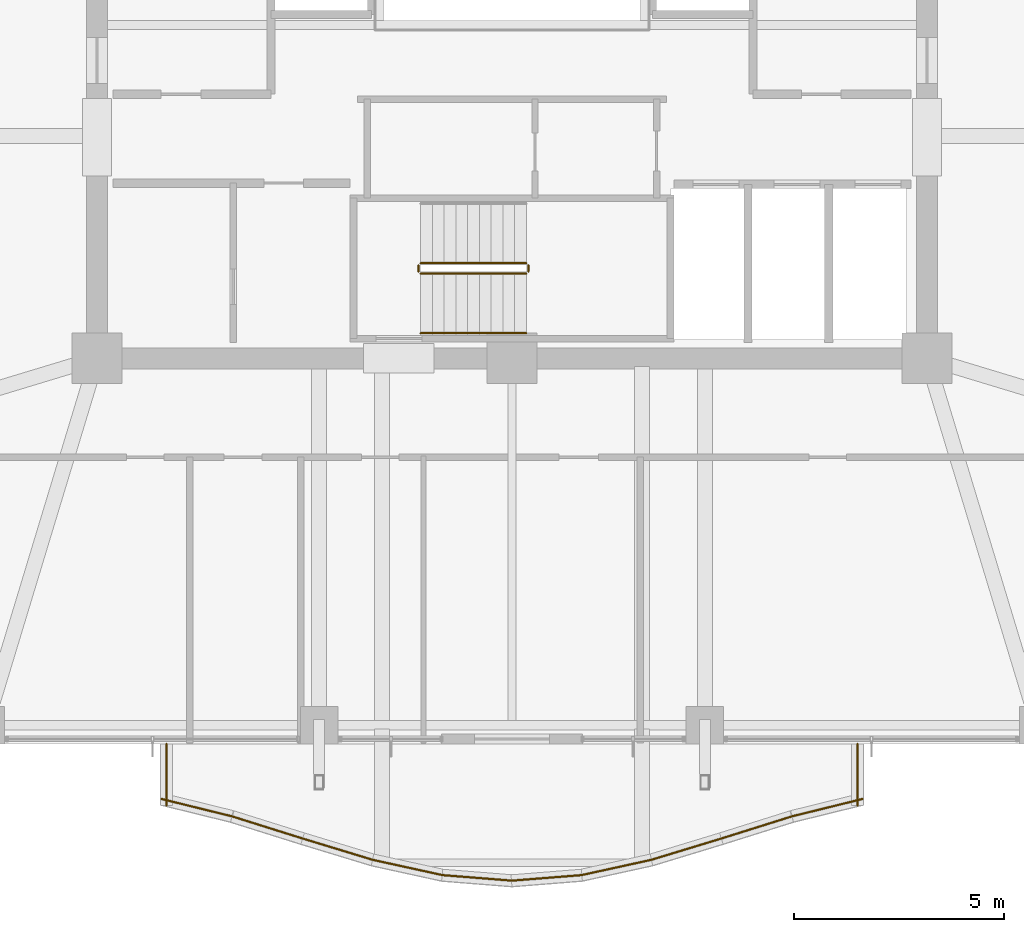
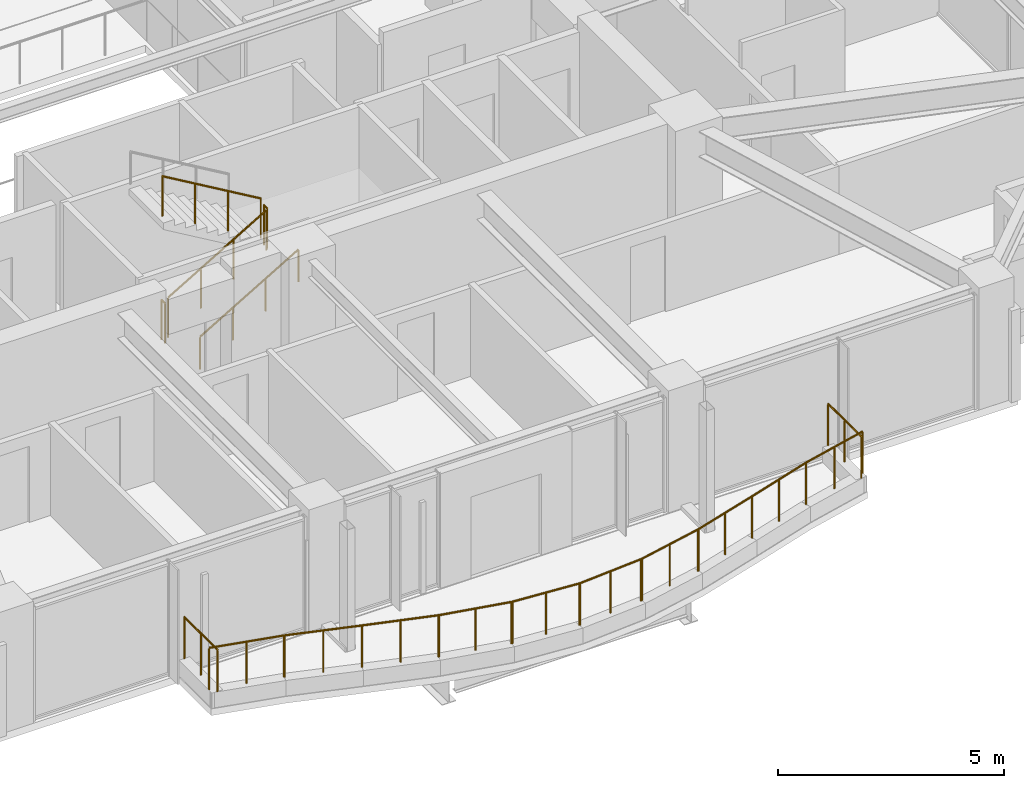
# One storey, part 32 of 34: 17 railings.
"""IFC4 building model written with IfcOpenShell, lengths in metres."""

from ifc_helpers import new_model, si_unit, direction, frame, origin, origin_2d, place, context, subcontext, project, spatial, circle, extrude, material, type_object, element, save


model = new_model("IFC4")

# Units and contexts
model_context = context("Model", 3, precision=1e-05, world=origin(), true_north=direction((0.0, 1.0)))
body_context = subcontext(model_context, "Body", "Model", "MODEL_VIEW")
ifc_project = project(units=[si_unit("LENGTHUNIT", "METRE"), si_unit("AREAUNIT", "SQUARE_METRE"), si_unit("VOLUMEUNIT", "CUBIC_METRE"), si_unit("PLANEANGLEUNIT", "RADIAN"), si_unit("MASSUNIT", "GRAM", prefix="KILO")], contexts=[model_context])

# Site, building, storey
site_placement = place(None, origin())
site = spatial("IfcSite", under=ifc_project, at=site_placement, CompositionType="ELEMENT")
building_placement = place(site_placement, origin())
building = spatial("IfcBuilding", under=site, at=building_placement, Name="Kolvaren Belvedere", CompositionType="ELEMENT")
storey_placement = place(building_placement, frame((0.0, 0.0, 166.800048828125)))
storey = spatial("IfcBuildingStorey", under=building, at=storey_placement, Name="L48", CompositionType="ELEMENT", Elevation=166.800048828125)

# Railings
ifc_material_1 = material(Name="Anodised pale-metal aluminium & laminated glass guard", Category="aluminium")
railing_type_1 = type_object("IfcRailingType", Name="RL-GUARD-1150", PredefinedType="GUARDRAIL", material=ifc_material_1)
railing_1_placement = place(storey_placement, frame((-8.36181640625, -20.410888671875, 0.39990234375)))
element("IfcRailing", 1, at=railing_1_placement, inside=storey, type_object=railing_type_1, Name="L48 Exterior Deck Safety Guard BAL-S-1", PredefinedType="GUARDRAIL", context=body_context, shape_type="SweptSolid", body=[
    extrude(circle(Radius=0.02392578125, at=origin_2d()), frame((0.0, 0.0, 1.1259765625), z_axis=(0.970983132151, -0.239147981546, 0.0), x_axis=(0.239147981546, 0.970983132151, 0.0)), (0.0, 0.0, 1.0), 1.73046875),
    extrude(circle(Radius=0.02099609375, at=origin_2d()), origin(), (0.0, 0.0, 1.0), 1.101806640625),
    extrude(circle(Radius=0.02099609375, at=origin_2d()), frame((0.840087890625, -0.20703125, 0.0)), (0.0, 0.0, 1.0), 1.101806640625),
    extrude(circle(Radius=0.02099609375, at=origin_2d()), frame((1.68017578125, -0.413818359375, 0.0)), (0.0, 0.0, 1.0), 1.101806640625),
])
railing_2_placement = place(storey_placement, frame((-6.672119140625, -20.82763671875, 0.39990234375)))
element("IfcRailing", 2, at=railing_2_placement, inside=storey, type_object=railing_type_1, Name="L48 Exterior Deck Safety Guard BAL-S-2", PredefinedType="GUARDRAIL", context=body_context, shape_type="SweptSolid", body=[
    extrude(circle(Radius=0.02392578125, at=origin_2d()), frame((0.0, 0.0, 1.1259765625), z_axis=(0.954057149461, -0.299624691176, 0.0), x_axis=(0.299624691176, 0.954057149461, 0.0)), (0.0, 0.0, 1.0), 1.7607421875),
    extrude(circle(Radius=0.02099609375, at=origin_2d()), origin(), (0.0, 0.0, 1.0), 1.101806640625),
    extrude(circle(Radius=0.02099609375, at=origin_2d()), frame((0.83984375, -0.263671875, 0.0)), (0.0, 0.0, 1.0), 1.101806640625),
    extrude(circle(Radius=0.02099609375, at=origin_2d()), frame((1.679931640625, -0.527587890625, 0.0)), (0.0, 0.0, 1.0), 1.101806640625),
])
railing_3_placement = place(storey_placement, frame((-4.993408203125, -21.354736328125, 0.39990234375)))
element("IfcRailing", 3, at=railing_3_placement, inside=storey, type_object=railing_type_1, Name="L48 Exterior Deck Safety Guard BAL-S-3", PredefinedType="GUARDRAIL", context=body_context, shape_type="SweptSolid", body=[
    extrude(circle(Radius=0.02392578125, at=origin_2d()), frame((0.0, 0.0, 1.1259765625), z_axis=(0.956759718748, -0.290879426191, 0.0), x_axis=(0.290879426191, 0.956759718748, 0.0)), (0.0, 0.0, 1.0), 1.755859375),
    extrude(circle(Radius=0.02099609375, at=origin_2d()), origin(), (0.0, 0.0, 1.0), 1.101806640625),
    extrude(circle(Radius=0.02099609375, at=origin_2d()), frame((0.83984375, -0.25537109375, 0.0)), (0.0, 0.0, 1.0), 1.101806640625),
    extrude(circle(Radius=0.02099609375, at=origin_2d()), frame((1.679931640625, -0.5107421875, 0.0)), (0.0, 0.0, 1.0), 1.101806640625),
])
railing_4_placement = place(storey_placement, frame((-3.32568359375, -21.8623046875, 0.39990234375)))
element("IfcRailing", 4, at=railing_4_placement, inside=storey, type_object=railing_type_1, Name="L48 Exterior Deck Safety Guard BAL-S-4", PredefinedType="GUARDRAIL", context=body_context, shape_type="SweptSolid", body=[
    extrude(circle(Radius=0.02392578125, at=origin_2d()), frame((0.0, 0.0, 1.1259765625), z_axis=(0.976876857632, -0.213802724545, 0.0), x_axis=(0.213802724545, 0.976876857632, 0.0)), (0.0, 0.0, 1.0), 1.7197265625),
    extrude(circle(Radius=0.02099609375, at=origin_2d()), origin(), (0.0, 0.0, 1.0), 1.101806640625),
    extrude(circle(Radius=0.02099609375, at=origin_2d()), frame((0.83984375, -0.183837890625, 0.0)), (0.0, 0.0, 1.0), 1.101806640625),
    extrude(circle(Radius=0.02099609375, at=origin_2d()), frame((1.679931640625, -0.36767578125, 0.0)), (0.0, 0.0, 1.0), 1.101806640625),
])
railing_5_placement = place(storey_placement, frame((-1.667236328125, -22.226806640625, 0.39990234375)))
element("IfcRailing", 5, at=railing_5_placement, inside=storey, type_object=railing_type_1, Name="L48 Exterior Deck Safety Guard BAL-S-5", PredefinedType="GUARDRAIL", context=body_context, shape_type="SweptSolid", body=[
    extrude(circle(Radius=0.02392578125, at=origin_2d()), frame((0.0, 0.0, 1.1259765625), z_axis=(0.996843773847, -0.079388226721, 0.0), x_axis=(0.079388226721, 0.996843773847, 0.0)), (0.0, 0.0, 1.0), 1.685302734375),
    extrude(circle(Radius=0.02099609375, at=origin_2d()), origin(), (0.0, 0.0, 1.0), 1.101806640625),
    extrude(circle(Radius=0.02099609375, at=origin_2d()), frame((0.83984375, -0.06689453125, 0.0)), (0.0, 0.0, 1.0), 1.101806640625),
    extrude(circle(Radius=0.02099609375, at=origin_2d()), frame((1.679931640625, -0.1337890625, 0.0)), (0.0, 0.0, 1.0), 1.101806640625),
])
railing_6_placement = place(storey_placement, frame((-0.0126953125, -22.360595703125, 0.39990234375)))
element("IfcRailing", 6, at=railing_6_placement, inside=storey, type_object=railing_type_1, Name="L48 Exterior Deck Safety Guard BAL-S-6", PredefinedType="GUARDRAIL", context=body_context, shape_type="SweptSolid", body=[
    extrude(circle(Radius=0.02392578125, at=origin_2d()), frame((0.0, 0.0, 1.1259765625), z_axis=(0.996843773847, 0.079388226721, 0.0), x_axis=(-0.079388226721, 0.996843773847, 0.0)), (0.0, 0.0, 1.0), 1.685302734375),
    extrude(circle(Radius=0.02099609375, at=origin_2d()), origin(), (0.0, 0.0, 1.0), 1.101806640625),
    extrude(circle(Radius=0.02099609375, at=origin_2d()), frame((0.83984375, 0.06689453125, 0.0)), (0.0, 0.0, 1.0), 1.101806640625),
    extrude(circle(Radius=0.02099609375, at=origin_2d()), frame((1.679931640625, 0.1337890625, 0.0)), (0.0, 0.0, 1.0), 1.101806640625),
])
railing_7_placement = place(storey_placement, frame((1.645751953125, -22.22998046875, 0.39990234375)))
element("IfcRailing", 7, at=railing_7_placement, inside=storey, type_object=railing_type_1, Name="L48 Exterior Deck Safety Guard BAL-S-7", PredefinedType="GUARDRAIL", context=body_context, shape_type="SweptSolid", body=[
    extrude(circle(Radius=0.02392578125, at=origin_2d()), frame((0.0, 0.0, 1.1259765625), z_axis=(0.976876857632, 0.213802724545, 0.0), x_axis=(-0.213802724545, 0.976876857632, 0.0)), (0.0, 0.0, 1.0), 1.7197265625),
    extrude(circle(Radius=0.02099609375, at=origin_2d()), origin(), (0.0, 0.0, 1.0), 1.101806640625),
    extrude(circle(Radius=0.02099609375, at=origin_2d()), frame((0.83984375, 0.183837890625, 0.0)), (0.0, 0.0, 1.0), 1.101806640625),
    extrude(circle(Radius=0.02099609375, at=origin_2d()), frame((1.679931640625, 0.36767578125, 0.0)), (0.0, 0.0, 1.0), 1.101806640625),
])
railing_8_placement = place(storey_placement, frame((3.3134765625, -21.865478515625, 0.39990234375)))
element("IfcRailing", 8, at=railing_8_placement, inside=storey, type_object=railing_type_1, Name="L48 Exterior Deck Safety Guard BAL-S-8", PredefinedType="GUARDRAIL", context=body_context, shape_type="SweptSolid", body=[
    extrude(circle(Radius=0.02392578125, at=origin_2d()), frame((0.0, 0.0, 1.1259765625), z_axis=(0.956759718748, 0.290879426191, 0.0), x_axis=(-0.290879426191, 0.956759718748, 0.0)), (0.0, 0.0, 1.0), 1.755859375),
    extrude(circle(Radius=0.02099609375, at=origin_2d()), origin(), (0.0, 0.0, 1.0), 1.101806640625),
    extrude(circle(Radius=0.02099609375, at=origin_2d()), frame((0.83984375, 0.25537109375, 0.0)), (0.0, 0.0, 1.0), 1.101806640625),
    extrude(circle(Radius=0.02099609375, at=origin_2d()), frame((1.679931640625, 0.5107421875, 0.0)), (0.0, 0.0, 1.0), 1.101806640625),
])
railing_9_placement = place(storey_placement, frame((4.9921875, -21.355224609375, 0.39990234375)))
element("IfcRailing", 9, at=railing_9_placement, inside=storey, type_object=railing_type_1, Name="L48 Exterior Deck Safety Guard BAL-S-9", PredefinedType="GUARDRAIL", context=body_context, shape_type="SweptSolid", body=[
    extrude(circle(Radius=0.02392578125, at=origin_2d()), frame((0.0, 0.0, 1.1259765625), z_axis=(0.954057149461, 0.299624691176, 0.0), x_axis=(-0.299624691176, 0.954057149461, 0.0)), (0.0, 0.0, 1.0), 1.7607421875),
    extrude(circle(Radius=0.02099609375, at=origin_2d()), origin(), (0.0, 0.0, 1.0), 1.101806640625),
    extrude(circle(Radius=0.02099609375, at=origin_2d()), frame((0.83984375, 0.263671875, 0.0)), (0.0, 0.0, 1.0), 1.101806640625),
    extrude(circle(Radius=0.02099609375, at=origin_2d()), frame((1.679931640625, 0.527587890625, 0.0)), (0.0, 0.0, 1.0), 1.101806640625),
])
railing_10_placement = place(storey_placement, frame((6.681640625, -20.82470703125, 0.39990234375)))
element("IfcRailing", 10, at=railing_10_placement, inside=storey, type_object=railing_type_1, Name="L48 Exterior Deck Safety Guard BAL-S-10", PredefinedType="GUARDRAIL", context=body_context, shape_type="SweptSolid", body=[
    extrude(circle(Radius=0.02392578125, at=origin_2d()), frame((0.0, 0.0, 1.1259765625), z_axis=(0.970983132151, 0.239147981546, 0.0), x_axis=(-0.239147981546, 0.970983132151, 0.0)), (0.0, 0.0, 1.0), 1.73046875),
    extrude(circle(Radius=0.02099609375, at=origin_2d()), origin(), (0.0, 0.0, 1.0), 1.101806640625),
    extrude(circle(Radius=0.02099609375, at=origin_2d()), frame((0.840087890625, 0.20703125, 0.0)), (0.0, 0.0, 1.0), 1.101806640625),
    extrude(circle(Radius=0.02099609375, at=origin_2d()), frame((1.68017578125, 0.413818359375, 0.0)), (0.0, 0.0, 1.0), 1.101806640625),
])
railing_11_placement = place(storey_placement, frame((8.239990234375, -20.56640625, 0.39990234375)))
element("IfcRailing", 11, at=railing_11_placement, inside=storey, type_object=railing_type_1, Name="L48 Exterior Deck Safety Guard BAL-S-11", PredefinedType="GUARDRAIL", context=body_context, shape_type="SweptSolid", body=[
    extrude(circle(Radius=0.02392578125, at=origin_2d()), frame((0.0, 0.0, 1.1259765625), z_axis=(0.0, 1.0, 0.0), x_axis=(-1.0, 0.0, 0.0)), (0.0, 0.0, 1.0), 1.46630859375),
    extrude(circle(Radius=0.02099609375, at=origin_2d()), origin(), (0.0, 0.0, 1.0), 1.101806640625),
    extrude(circle(Radius=0.02099609375, at=origin_2d()), frame((0.0, 0.733154296875, 0.0)), (0.0, 0.0, 1.0), 1.101806640625),
    extrude(circle(Radius=0.02099609375, at=origin_2d()), frame((0.0, 1.46630859375, 0.0)), (0.0, 0.0, 1.0), 1.101806640625),
])
railing_12_placement = place(storey_placement, frame((-8.239990234375, -19.10009765625, 0.39990234375)))
element("IfcRailing", 12, at=railing_12_placement, inside=storey, type_object=railing_type_1, Name="L48 Exterior Deck Safety Guard BAL-S-22", PredefinedType="GUARDRAIL", context=body_context, shape_type="SweptSolid", body=[
    extrude(circle(Radius=0.02392578125, at=origin_2d()), frame((0.0, 0.0, 1.1259765625), z_axis=(0.0, -1.0, 0.0), x_axis=(1.0, 0.0, 0.0)), (0.0, 0.0, 1.0), 1.46630859375),
    extrude(circle(Radius=0.02099609375, at=origin_2d()), origin(), (0.0, 0.0, 1.0), 1.101806640625),
    extrude(circle(Radius=0.02099609375, at=origin_2d()), frame((0.0, -0.733154296875, 0.0)), (0.0, 0.0, 1.0), 1.101806640625),
    extrude(circle(Radius=0.02099609375, at=origin_2d()), frame((0.0, -1.46630859375, 0.0)), (0.0, 0.0, 1.0), 1.101806640625),
])
ifc_material_2 = material(Name="Brushed stainless-steel handrail", Category="steel")
railing_type_2 = type_object("IfcRailingType", Name="RL-HANDRAIL-920", PredefinedType="HANDRAIL", material=ifc_material_2)
railing_13_placement = place(storey_placement, frame((-2.179931640625, -9.300048828125, 0.1650390625)))
element("IfcRailing", 13, at=railing_13_placement, inside=storey, type_object=railing_type_2, Name="L48 ST-3 stair handrail 1", PredefinedType="HANDRAIL", context=body_context, shape_type="SweptSolid", body=[
    extrude(circle(Radius=0.02392578125, at=origin_2d()), frame((0.0, 0.0, 0.8759765625), z_axis=(0.861560626758, 0.0, 0.507654692109), x_axis=(0.0, 1.0, 0.0)), (0.0, 0.0, 1.0), 2.925048828125),
    extrude(circle(Radius=0.02099609375, at=origin_2d()), origin(), (0.0, 0.0, 1.0), 0.851806640625),
    extrude(circle(Radius=0.02099609375, at=origin_2d()), frame((0.840087890625, 0.0, 0.494873046875)), (0.0, 0.0, 1.0), 0.851806640625),
    extrude(circle(Radius=0.02099609375, at=origin_2d()), frame((1.679931640625, 0.0, 0.989990234375)), (0.0, 0.0, 1.0), 0.851806640625),
    extrude(circle(Radius=0.02099609375, at=origin_2d()), frame((2.52001953125, 0.0, 1.48486328125)), (0.0, 0.0, 1.0), 0.851806640625),
])
ifc_material_3 = material(Name="Painted tubular steel stair guard", Category="steel")
railing_type_3 = type_object("IfcRailingType", Name="RL-STGUARD-1100", PredefinedType="GUARDRAIL", material=ifc_material_3)
railing_14_placement = place(storey_placement, frame((-2.179931640625, -7.8798828125, 0.1650390625)))
element("IfcRailing", 14, at=railing_14_placement, inside=storey, type_object=railing_type_3, Name="L48 ST-3 stair guard 1", PredefinedType="GUARDRAIL", context=body_context, shape_type="SweptSolid", body=[
    extrude(circle(Radius=0.02392578125, at=origin_2d()), frame((0.0, 0.0, 1.076171875), z_axis=(0.861560626758, 0.0, 0.507654692109), x_axis=(0.0, 1.0, 0.0)), (0.0, 0.0, 1.0), 2.925048828125),
    extrude(circle(Radius=0.02099609375, at=origin_2d()), origin(), (0.0, 0.0, 1.0), 1.052001953125),
    extrude(circle(Radius=0.02099609375, at=origin_2d()), frame((0.840087890625, 0.0, 0.494873046875)), (0.0, 0.0, 1.0), 1.052001953125),
    extrude(circle(Radius=0.02099609375, at=origin_2d()), frame((1.679931640625, 0.0, 0.989990234375)), (0.0, 0.0, 1.0), 1.052001953125),
    extrude(circle(Radius=0.02099609375, at=origin_2d()), frame((2.52001953125, 0.0, 1.48486328125)), (0.0, 0.0, 1.0), 1.052001953125),
])
railing_15_placement = place(storey_placement, frame((0.389892578125, -7.830078125, 1.64990234375)))
element("IfcRailing", 15, at=railing_15_placement, inside=storey, type_object=railing_type_3, Name="L48 ST-3 stair guard 2", PredefinedType="GUARDRAIL", context=body_context, shape_type="SweptSolid", body=[
    extrude(circle(Radius=0.02392578125, at=origin_2d()), frame((0.0, 0.0, 1.076171875), z_axis=(0.0, 1.0, 0.0), x_axis=(-1.0, 0.0, 0.0)), (0.0, 0.0, 1.0), 0.150146484375),
    extrude(circle(Radius=0.02099609375, at=origin_2d()), origin(), (0.0, 0.0, 1.0), 1.052001953125),
    extrude(circle(Radius=0.02099609375, at=origin_2d()), frame((0.0, 0.150146484375, 0.0)), (0.0, 0.0, 1.0), 1.052001953125),
])
railing_16_placement = place(storey_placement, frame((0.340087890625, -7.6298828125, 1.81494140625)))
element("IfcRailing", 16, at=railing_16_placement, inside=storey, type_object=railing_type_3, Name="L48 ST-3 stair guard 3", PredefinedType="GUARDRAIL", context=body_context, shape_type="SweptSolid", body=[
    extrude(circle(Radius=0.02392578125, at=origin_2d()), frame((0.0, 0.0, 1.076171875), z_axis=(-0.86152411907, 0.0, 0.507716645641), x_axis=(0.0, -1.0, 0.0)), (0.0, 0.0, 1.0), 2.925048828125),
    extrude(circle(Radius=0.02099609375, at=origin_2d()), origin(), (0.0, 0.0, 1.0), 1.052001953125),
    extrude(circle(Radius=0.02099609375, at=origin_2d()), frame((-0.840087890625, 0.0, 0.4951171875)), (0.0, 0.0, 1.0), 1.052001953125),
    extrude(circle(Radius=0.02099609375, at=origin_2d()), frame((-1.679931640625, 0.0, 0.989990234375)), (0.0, 0.0, 1.0), 1.052001953125),
    extrude(circle(Radius=0.02099609375, at=origin_2d()), frame((-2.52001953125, 0.0, 1.485107421875)), (0.0, 0.0, 1.0), 1.052001953125),
])
railing_17_placement = place(storey_placement, frame((-2.22998046875, -7.830078125, 0.0)))
element("IfcRailing", 17, at=railing_17_placement, inside=storey, type_object=railing_type_3, Name="L48 ST-3 stair guard 4", PredefinedType="GUARDRAIL", context=body_context, shape_type="SweptSolid", body=[
    extrude(circle(Radius=0.02392578125, at=origin_2d()), frame((0.0, 0.0, 1.076171875), z_axis=(0.0, 1.0, 0.0), x_axis=(-1.0, 0.0, 0.0)), (0.0, 0.0, 1.0), 0.150146484375),
    extrude(circle(Radius=0.02099609375, at=origin_2d()), origin(), (0.0, 0.0, 1.0), 1.052001953125),
    extrude(circle(Radius=0.02099609375, at=origin_2d()), frame((0.0, 0.150146484375, 0.0)), (0.0, 0.0, 1.0), 1.052001953125),
])

save(model, "model.ifc")
